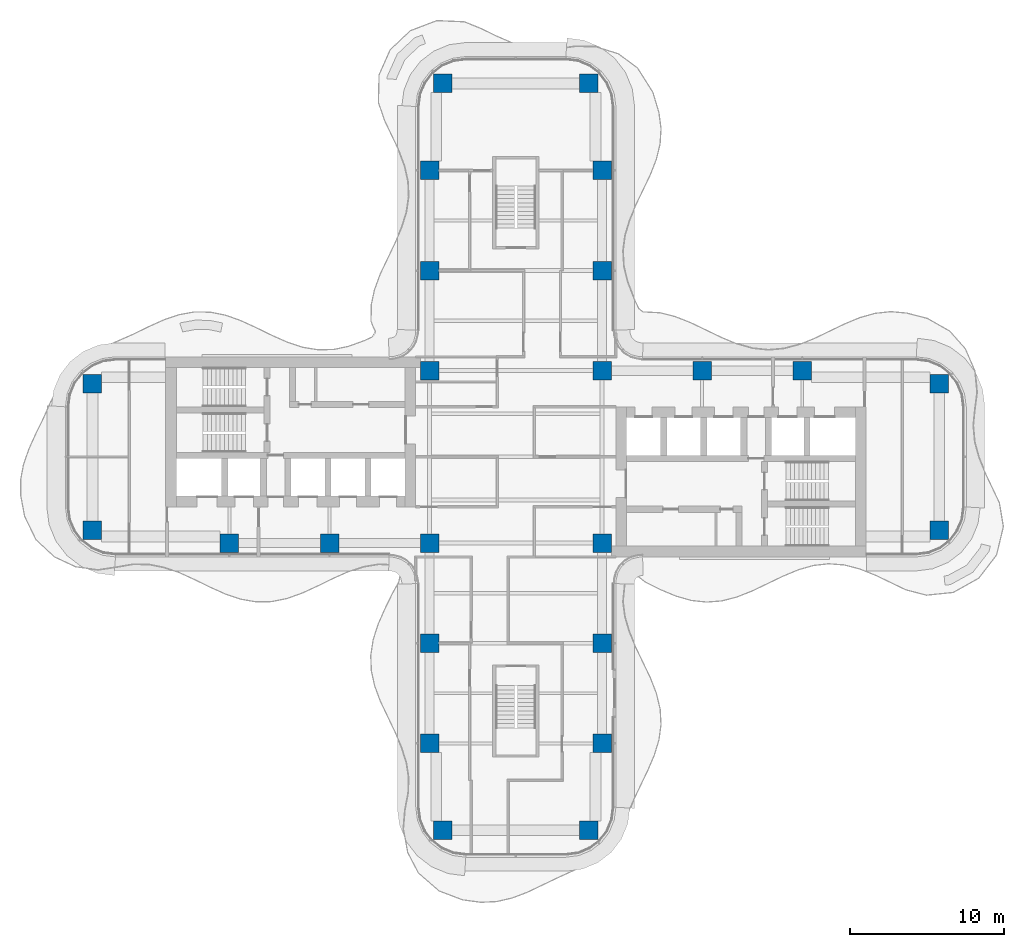
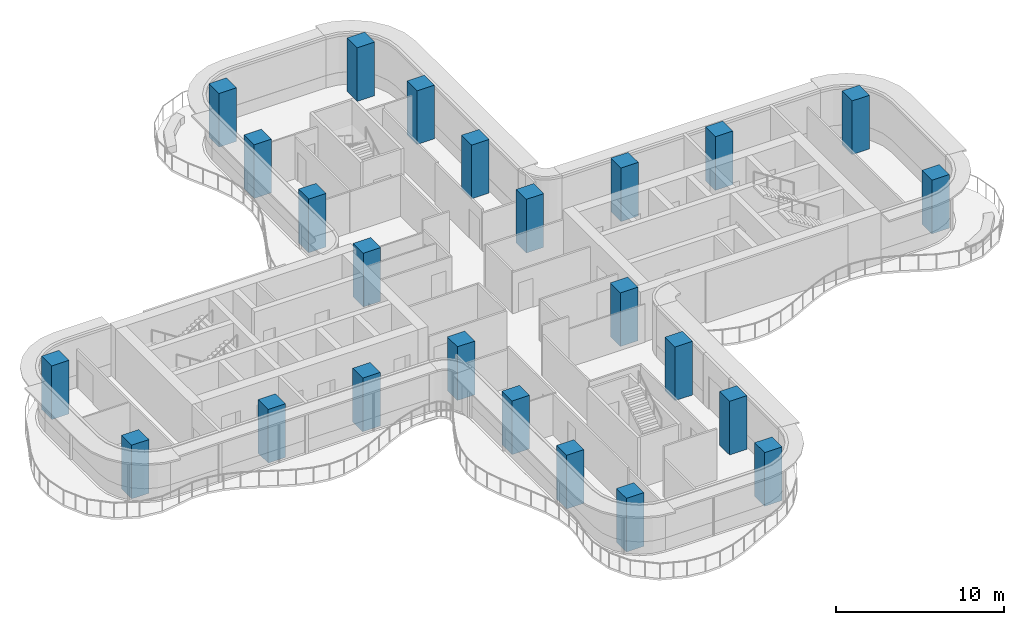
# One storey, part 1 of 17: 24 columns.
"""IFC4 building model written with IfcOpenShell, lengths in metres."""

from ifc_helpers import new_model, si_unit, direction, frame, origin, origin_2d, place, context, subcontext, project, spatial, rectangle, extrude, source, transform, mapped, material, material_profile, profile_set, type_object, element, save


model = new_model("IFC4")

# Units and contexts
model_context = context("Model", 3, precision=1e-05, world=origin(), true_north=direction((0.0, 1.0)))
body_context = subcontext(model_context, "Body", "Model", "MODEL_VIEW")
ifc_project = project(units=[si_unit("LENGTHUNIT", "METRE"), si_unit("AREAUNIT", "SQUARE_METRE"), si_unit("VOLUMEUNIT", "CUBIC_METRE"), si_unit("PLANEANGLEUNIT", "RADIAN"), si_unit("MASSUNIT", "GRAM", prefix="KILO")], contexts=[model_context])

# Site, building, storey
site_placement = place(None, origin())
site = spatial("IfcSite", under=ifc_project, at=site_placement, CompositionType="ELEMENT")
building_placement = place(site_placement, origin())
building = spatial("IfcBuilding", under=site, at=building_placement, Name="Trellis Farm Tower", CompositionType="ELEMENT")
storey_placement = place(building_placement, frame((0.0, 0.0, 165.89990234375)))
storey = spatial("IfcBuildingStorey", under=building, at=storey_placement, Name="L35", CompositionType="ELEMENT", Elevation=165.89990234375)

# Columns
ifc_material = material(Name="Concrete C70/85", Category="concrete")
ifc_material_profile = material_profile(ifc_material, rectangle(XDim=1.199951171875, YDim=1.199951171875, at=origin_2d()), Name="RC column 1200x1200 C70/85")
ifc_profile_set = profile_set([ifc_material_profile], Name="Concrete C70/85")
column_type = type_object("IfcColumnType", Name="RC column 1200x1200 C70/85", PredefinedType="COLUMN", material=ifc_profile_set)
shared_shape = source(origin(), body_context, "Body", "SweptSolid", [
    extrude(rectangle(XDim=1.199951171875, YDim=1.199951171875, at=origin_2d()), origin(), (0.0, 0.0, 1.0), 3.900146484375),
])
for number, where, z_axis, x_axis, name in (
    (1, (12.10009765625, 5.60009765625, 0.0), (0.0, 0.0, 1.0), (1.0, 0.0, 0.0), "Column"),
    (2, (18.60009765625, 5.60009765625, 0.0), (0.0, 0.0, 1.0), (1.0, 0.0, 0.0), "Column"),
    (3, (27.5, 4.75, 0.0), (0.0, 0.0, 1.0), (1.0, 0.0, 0.0), "Column"),
    (4, (27.5, -4.75, 0.0), (0.0, 0.0, 1.0), (1.0, 0.0, 0.0), "Column"),
    (5, (-5.60009765625, 12.10009765625, 0.0), (0.0, 0.0, 1.0), (1.0, 0.0, 0.0), "Column"),
    (6, (-5.60009765625, 18.60009765625, 0.0), (0.0, 0.0, 1.0), (1.0, 0.0, 0.0), "Column"),
    (7, (-4.75, 24.25, 0.0), (0.0, 0.0, 1.0), (1.0, 0.0, 0.0), "Column"),
    (8, (5.60009765625, 12.10009765625, 0.0), (0.0, 0.0, 1.0), (1.0, 0.0, 0.0), "Column"),
    (9, (5.60009765625, 18.60009765625, 0.0), (0.0, 0.0, 1.0), (1.0, 0.0, 0.0), "Column"),
    (10, (4.75, 24.25, 0.0), (0.0, 0.0, 1.0), (1.0, 0.0, 0.0), "Column"),
    (11, (5.60009765625, 5.60009765625, 0.0), (0.0, 0.0, 1.0), (1.0, 0.0, 0.0), "Column"),
    (12, (-5.60009765625, 5.60009765625, 0.0), (0.0, 0.0, 1.0), (1.0, 0.0, 0.0), "Column"),
    (13, (5.60009765625, -5.60009765625, 0.0), (0.0, 0.0, 1.0), (1.0, 0.0, 0.0), "Column"),
    (14, (-5.60009765625, -5.60009765625, 0.0), (0.0, 0.0, 1.0), (1.0, 0.0, 0.0), "Column"),
    (15, (5.60009765625, -12.10009765625, 0.0), (0.0, 0.0, 1.0), (1.0, 0.0, 0.0), "Column"),
    (16, (5.60009765625, -18.60009765625, 0.0), (0.0, 0.0, 1.0), (1.0, 0.0, 0.0), "Column"),
    (17, (4.75, -24.25, 0.0), (0.0, 0.0, 1.0), (1.0, 0.0, 0.0), "Column"),
    (18, (-5.60009765625, -12.10009765625, 0.0), (0.0, 0.0, 1.0), (1.0, 0.0, 0.0), "Column"),
    (19, (-5.60009765625, -18.60009765625, 0.0), (0.0, 0.0, 1.0), (1.0, 0.0, 0.0), "Column"),
    (20, (-4.75, -24.25, 0.0), (0.0, 0.0, 1.0), (1.0, 0.0, 0.0), "Column"),
    (21, (-12.10009765625, -5.60009765625, 0.0), (0.0, 0.0, 1.0), (1.0, 0.0, 0.0), "Column"),
    (22, (-18.60009765625, -5.60009765625, 0.0), (0.0, 0.0, 1.0), (1.0, 0.0, 0.0), "Column"),
    (23, (-27.5, -4.75, 0.0), (0.0, 0.0, 1.0), (1.0, 0.0, 0.0), "Column"),
    (24, (-27.5, 4.75, 0.0), (0.0, 0.0, 1.0), (1.0, 0.0, 0.0), "Column"),
):
    element("IfcColumn", number, at=place(storey_placement, frame(where, z_axis=z_axis, x_axis=x_axis)), inside=storey, type_object=column_type, Name=name, PredefinedType="COLUMN", context=body_context, shape_type="MappedRepresentation", body=[
        mapped(shared_shape, transform((0.0, 0.0, 0.0))),
    ])

save(model, "model.ifc")
